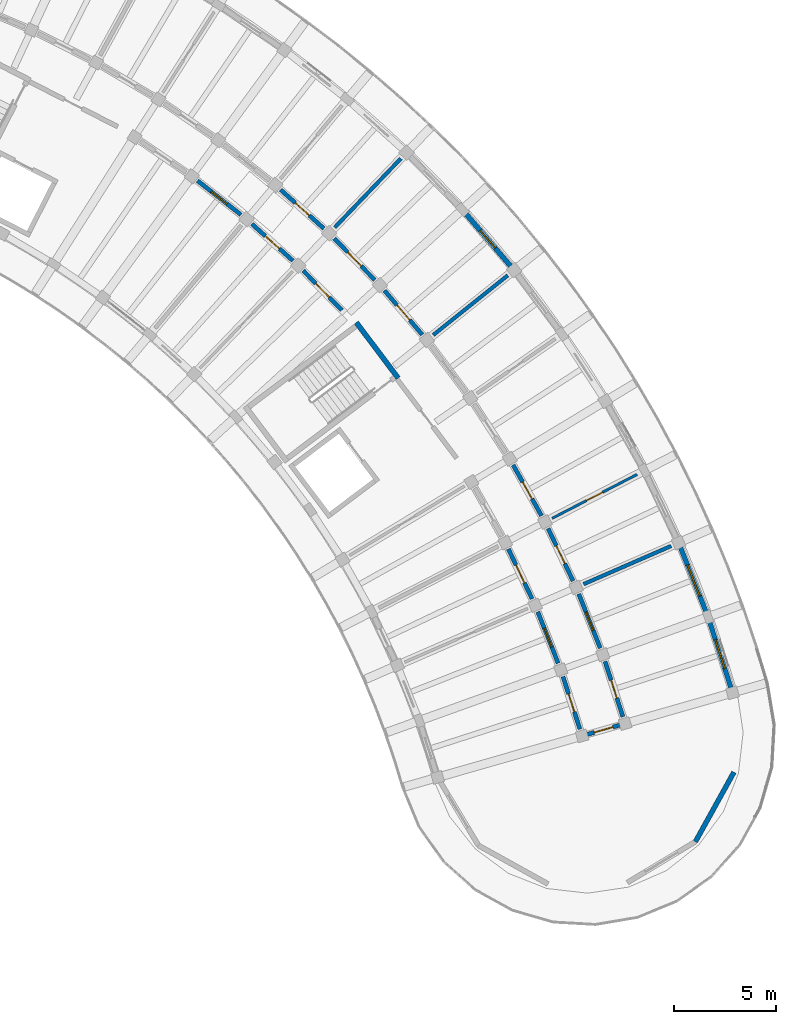
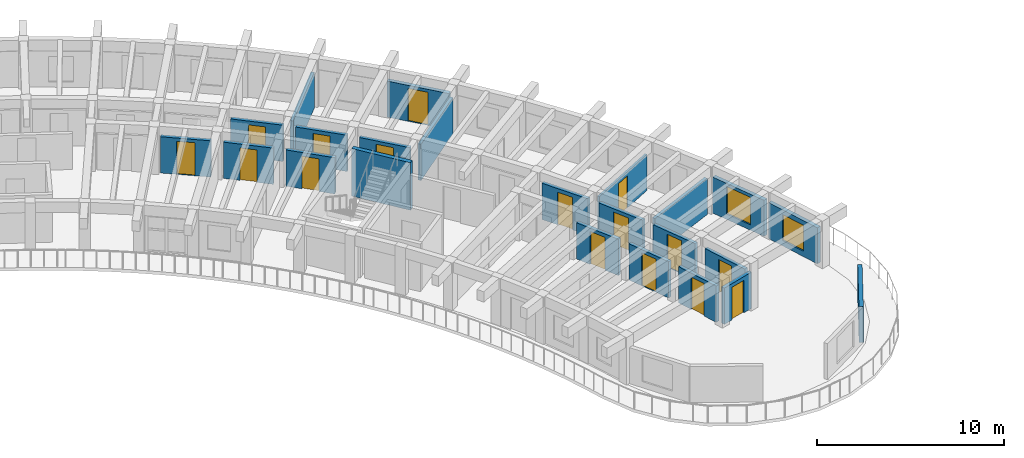
# One storey, part 57 of 81: 23 walls, 16 doors, 2 windows, 18 openings.
"""IFC4 building model written with IfcOpenShell, lengths in metres."""

from ifc_helpers import new_model, si_unit, direction, frame, frame_2d, origin, place, context, subcontext, project, spatial, rectangle, extrude, material, layer, layer_set, type_object, element, fill, save


model = new_model("IFC4")

# Units and contexts
model_context = context("Model", 3, precision=1e-05, world=origin(), true_north=direction((0.0, 1.0)))
body_context = subcontext(model_context, "Body", "Model", "MODEL_VIEW")
ifc_project = project(units=[si_unit("LENGTHUNIT", "METRE"), si_unit("AREAUNIT", "SQUARE_METRE"), si_unit("VOLUMEUNIT", "CUBIC_METRE"), si_unit("PLANEANGLEUNIT", "RADIAN"), si_unit("MASSUNIT", "GRAM", prefix="KILO")], contexts=[model_context])

# Site, building, storey
site_placement = place(None, origin())
site = spatial("IfcSite", under=ifc_project, at=site_placement, CompositionType="ELEMENT")
building_placement = place(site_placement, origin())
building = spatial("IfcBuilding", under=site, at=building_placement, Name="Tanwirah Colonnade Gardens", CompositionType="ELEMENT")
storey_placement = place(building_placement, frame((0.0, 0.0, 8.840087890625)))
storey = spatial("IfcBuildingStorey", under=building, at=storey_placement, Name="L02", CompositionType="ELEMENT", Elevation=8.840087890625)

# Wall, opening, window
ifc_material_1 = material(Name="Limestone architectural precast concrete C40/50", Category="masonry")
ifc_layer_1 = layer(ifc_material_1, 0.239990234375)
ifc_layer_set_1 = layer_set([ifc_layer_1], Name="Limestone architectural precast concrete C40/50")
wall_type_1 = type_object("IfcWallType", Name="EW-PC240", PredefinedType="SOLIDWALL", material=ifc_layer_set_1)
wall_1_placement = place(storey_placement, frame((178.16796875, 76.847412109375, 0.0), z_axis=(0.0, 0.0, 1.0), x_axis=(-0.30720538788, 0.951643236543, 0.0)))
wall_1 = element("IfcWall", 1, at=wall_1_placement, inside=storey, type_object=wall_type_1, Name="Block B L02 OUT Precast Facade Wall 0", PredefinedType="SOLIDWALL", context=body_context, shape_type="SweptSolid", body=[
    extrude(rectangle(XDim=3.5205078125, YDim=0.239990234375, at=frame_2d((1.76025390625, 0.0))), origin(), (0.0, 0.0, 1.0), 2.35498046875),
])
opening_1_placement = place(wall_1_placement, frame((1.010498046875, 0.0, 0.35009765625)))
opening_1 = element("IfcOpeningElement", 2, at=opening_1_placement, cuts=wall_1, Name="Opening WIN-T08", PredefinedType="OPENING", context=body_context, shape_type="SweptSolid", body=[
    extrude(rectangle(XDim=1.5, YDim=1.699951171875, at=frame_2d((0.75, 0.85009765625))), frame((0.0, 0.1298828125, 0.0), z_axis=(0.0, -1.0, 0.0), x_axis=(1.0, 0.0, 0.0)), (0.0, 0.0, 1.0), 0.260009765625),
])
ifc_material_2 = material(Name="Thermally broken bronze aluminium and solar low-E double glazing", Category="aluminium")
window_type_1 = type_object("IfcWindowType", Name="WIN-T08", PartitioningType="DOUBLE_PANEL_VERTICAL", PredefinedType="WINDOW", material=ifc_material_2)
window_1_placement = place(opening_1_placement, origin())
window_1 = element("IfcWindow", 3, at=window_1_placement, inside=storey, type_object=window_type_1, Name="Facade window B-L02-OUT-00", OverallHeight=1.699951171875, OverallWidth=1.5, PartitioningType="SINGLE_PANEL", PredefinedType="WINDOW", context=body_context, shape_type="SweptSolid", body=[
    extrude(rectangle(XDim=1.5, YDim=1.699951171875, at=frame_2d((0.75, 0.85009765625))), frame((0.0, 0.030029296875, 0.0), z_axis=(0.0, -1.0, 0.0), x_axis=(1.0, 0.0, 0.0)), (0.0, 0.0, 1.0), 0.06005859375),
])
fill(opening_1, window_1)

wall_2_placement = place(storey_placement, frame((176.978271484375, 80.498779296875, 0.0), z_axis=(0.0, 0.0, 1.0), x_axis=(-0.369249632056, 0.929330247666, 0.0)))
wall_2 = element("IfcWall", 4, at=wall_2_placement, inside=storey, type_object=wall_type_1, Name="Block B L02 OUT Precast Facade Wall 1", PredefinedType="SOLIDWALL", context=body_context, shape_type="SweptSolid", body=[
    extrude(rectangle(XDim=3.520751953125, YDim=0.239990234375, at=frame_2d((1.76025390625, 0.0))), origin(), (0.0, 0.0, 1.0), 2.35498046875),
])
opening_2_placement = place(wall_2_placement, frame((0.935302734375, 0.0, 0.35009765625)))
opening_2 = element("IfcOpeningElement", 5, at=opening_2_placement, cuts=wall_2, Name="Opening WIN-T11", PredefinedType="OPENING", context=body_context, shape_type="SweptSolid", body=[
    extrude(rectangle(XDim=1.64990234375, YDim=1.800048828125, at=frame_2d((0.824951171875, 0.89990234375))), frame((0.0, 0.1298828125, 0.0), z_axis=(0.0, -1.0, 0.0), x_axis=(1.0, 0.0, 0.0)), (0.0, 0.0, 1.0), 0.260009765625),
])
window_type_2 = type_object("IfcWindowType", Name="WIN-T11", PartitioningType="DOUBLE_PANEL_VERTICAL", PredefinedType="WINDOW", material=ifc_material_2)
window_2_placement = place(opening_2_placement, origin())
window_2 = element("IfcWindow", 6, at=window_2_placement, inside=storey, type_object=window_type_2, Name="Facade window B-L02-OUT-01", OverallHeight=1.800048828125, OverallWidth=1.64990234375, PartitioningType="SINGLE_PANEL", PredefinedType="WINDOW", context=body_context, shape_type="SweptSolid", body=[
    extrude(rectangle(XDim=1.64990234375, YDim=1.800048828125, at=frame_2d((0.824951171875, 0.89990234375))), frame((0.0, 0.030029296875, 0.0), z_axis=(0.0, -1.0, 0.0), x_axis=(1.0, 0.0, 0.0)), (0.0, 0.0, 1.0), 0.06005859375),
])
fill(opening_2, window_2)

# Wall, opening, door
wall_3_placement = place(storey_placement, frame((167.3369140625, 97.59228515625, 0.0), z_axis=(0.0, 0.0, 1.0), x_axis=(-0.65016298181, 0.759794773004, 0.0)))
wall_3 = element("IfcWall", 7, at=wall_3_placement, inside=storey, type_object=wall_type_1, Name="Block B L02 OUT Precast Facade Wall 6", PredefinedType="SOLIDWALL", context=body_context, shape_type="SweptSolid", body=[
    extrude(rectangle(XDim=3.520751953125, YDim=0.239990234375, at=frame_2d((1.76025390625, 0.0))), origin(), (0.0, 0.0, 1.0), 2.35498046875),
])
opening_3_placement = place(wall_3_placement, frame((1.1904296875, 0.0, 0.0)))
opening_3 = element("IfcOpeningElement", 8, at=opening_3_placement, cuts=wall_3, Name="Opening L02-ED077", PredefinedType="OPENING", context=body_context, shape_type="SweptSolid", body=[
    extrude(rectangle(XDim=1.139892578125, YDim=2.159912109375, at=frame_2d((0.56982421875, 1.080078125))), frame((0.0, 0.1298828125, 0.0), z_axis=(0.0, -1.0, 0.0), x_axis=(1.0, 0.0, 0.0)), (0.0, 0.0, 1.0), 0.260009765625),
])
ifc_material_3 = material(Name="Bronze aluminium glazed balcony door", Category="aluminium")
door_type_1 = type_object("IfcDoorType", Name="ED-BAL114", OperationType="NOTDEFINED", PredefinedType="DOOR", material=ifc_material_3)
door_1_placement = place(opening_3_placement, origin())
door_1 = element("IfcDoor", 9, at=door_1_placement, inside=storey, type_object=door_type_1, Name="Balcony glazed door L02-ED077", OperationType="SINGLE_SWING_LEFT", OverallHeight=2.159912109375, OverallWidth=1.139892578125, PredefinedType="DOOR", context=body_context, shape_type="SweptSolid", body=[
    extrude(rectangle(XDim=1.139892578125, YDim=2.159912109375, at=frame_2d((0.56982421875, 1.080078125))), frame((0.0, 0.02490234375, 0.0), z_axis=(0.0, -1.0, 0.0), x_axis=(1.0, 0.0, 0.0)), (0.0, 0.0, 1.0), 0.050048828125),
])
fill(opening_3, door_1)

# Wall
wall_4_placement = place(storey_placement, frame((178.311279296875, 72.70654296875, 0.0), z_axis=(0.0, 0.0, 1.0), x_axis=(-0.484841794757, -0.874601871743, 0.0)))
element("IfcWall", 10, at=wall_4_placement, inside=storey, type_object=wall_type_1, Name="Block B L02 START Rounded End Wall 1", PredefinedType="SOLIDWALL", context=body_context, shape_type="SweptSolid", body=[
    extrude(rectangle(XDim=3.907958984375, YDim=0.239990234375, at=frame_2d((1.9541015625, 0.0))), origin(), (0.0, 0.0, 1.0), 2.35498046875),
])

# Wall, opening, door
ifc_material_4 = material(Name="Precast concrete C40/50", Category="concrete")
ifc_layer_2 = layer(ifc_material_4, 0.205078125)
ifc_layer_set_2 = layer_set([ifc_layer_2], Name="Precast concrete C40/50")
wall_type_2 = type_object("IfcWallType", Name="IW-CORR205", PredefinedType="PARTITIONING", material=ifc_layer_set_2)
wall_5_placement = place(storey_placement, frame((172.8486328125, 75.431396484375, 0.0), z_axis=(0.0, 0.0, 1.0), x_axis=(-0.307157249761, 0.951658774939, 0.0)))
wall_5 = element("IfcWall", 11, at=wall_5_placement, inside=storey, type_object=wall_type_2, Name="Block B L02 OUT Corridor Wall 0", PredefinedType="PARTITIONING", context=body_context, shape_type="SweptSolid", body=[
    extrude(rectangle(XDim=2.863037109375, YDim=0.205078125, at=frame_2d((1.431640625, 0.0))), origin(), (0.0, 0.0, 1.0), 2.369873046875),
])
opening_4_placement = place(wall_5_placement, frame((0.966552734375, 0.0, 0.0)))
opening_4 = element("IfcOpeningElement", 12, at=opening_4_placement, cuts=wall_5, Name="Opening L02-AD876", PredefinedType="OPENING", context=body_context, shape_type="SweptSolid", body=[
    extrude(rectangle(XDim=0.929931640625, YDim=2.1201171875, at=frame_2d((0.46484375, 1.06005859375))), frame((0.0, 0.112548828125, 0.0), z_axis=(0.0, -1.0, 0.0), x_axis=(1.0, 0.0, 0.0)), (0.0, 0.0, 1.0), 0.22509765625),
])
ifc_material_5 = material(Name="Solid oak fire-resisting apartment entrance door")
door_type_2 = type_object("IfcDoorType", Name="ID-FLT093", OperationType="NOTDEFINED", PredefinedType="DOOR", material=ifc_material_5)
door_2_placement = place(opening_4_placement, origin())
door_2 = element("IfcDoor", 13, at=door_2_placement, inside=storey, type_object=door_type_2, Name="Apartment corridor door L02-AD876", OperationType="SINGLE_SWING_LEFT", OverallHeight=2.1201171875, OverallWidth=0.929931640625, PredefinedType="DOOR", context=body_context, shape_type="SweptSolid", body=[
    extrude(rectangle(XDim=0.929931640625, YDim=2.1201171875, at=frame_2d((0.46484375, 1.06005859375))), frame((0.0, 0.02490234375, 0.0), z_axis=(0.0, -1.0, 0.0), x_axis=(1.0, 0.0, 0.0)), (0.0, 0.0, 1.0), 0.050048828125),
])
fill(opening_4, door_2)

wall_6_placement = place(storey_placement, frame((170.73388671875, 74.824951171875, 0.0), z_axis=(0.0, 0.0, 1.0), x_axis=(-0.307186478934, 0.95164934044, 0.0)))
wall_6 = element("IfcWall", 14, at=wall_6_placement, inside=storey, type_object=wall_type_2, Name="Block B L02 IN Corridor Wall 0", PredefinedType="PARTITIONING", context=body_context, shape_type="SweptSolid", body=[
    extrude(rectangle(XDim=2.718017578125, YDim=0.205078125, at=frame_2d((1.35888671875, 0.0))), origin(), (0.0, 0.0, 1.0), 2.369873046875),
])
opening_5_placement = place(wall_6_placement, frame((0.89404296875, 0.0, 0.0)))
opening_5 = element("IfcOpeningElement", 15, at=opening_5_placement, cuts=wall_6, Name="Opening L02-AD877", PredefinedType="OPENING", context=body_context, shape_type="SweptSolid", body=[
    extrude(rectangle(XDim=0.929931640625, YDim=2.1201171875, at=frame_2d((0.46484375, 1.06005859375))), frame((0.0, 0.112548828125, 0.0), z_axis=(0.0, -1.0, 0.0), x_axis=(1.0, 0.0, 0.0)), (0.0, 0.0, 1.0), 0.22509765625),
])
door_3_placement = place(opening_5_placement, origin())
door_3 = element("IfcDoor", 16, at=door_3_placement, inside=storey, type_object=door_type_2, Name="Apartment corridor door L02-AD877", OperationType="SINGLE_SWING_RIGHT", OverallHeight=2.1201171875, OverallWidth=0.929931640625, PredefinedType="DOOR", context=body_context, shape_type="SweptSolid", body=[
    extrude(rectangle(XDim=0.929931640625, YDim=2.1201171875, at=frame_2d((0.46484375, 1.06005859375))), frame((0.0, 0.02490234375, 0.0), z_axis=(0.0, -1.0, 0.0), x_axis=(1.0, 0.0, 0.0)), (0.0, 0.0, 1.0), 0.050048828125),
])
fill(opening_5, door_3)

wall_7_placement = place(storey_placement, frame((171.732421875, 78.814208984375, 0.0), z_axis=(0.0, 0.0, 1.0), x_axis=(-0.369213832442, 0.929344471083, 0.0)))
wall_7 = element("IfcWall", 17, at=wall_7_placement, inside=storey, type_object=wall_type_2, Name="Block B L02 OUT Corridor Wall 1", PredefinedType="PARTITIONING", context=body_context, shape_type="SweptSolid", body=[
    extrude(rectangle(XDim=2.86328125, YDim=0.205078125, at=frame_2d((1.431640625, 0.0))), origin(), (0.0, 0.0, 1.0), 2.369873046875),
])
opening_6_placement = place(wall_7_placement, frame((0.9365234375, 0.0, 0.0)))
opening_6 = element("IfcOpeningElement", 18, at=opening_6_placement, cuts=wall_7, Name="Opening L02-AD878", PredefinedType="OPENING", context=body_context, shape_type="SweptSolid", body=[
    extrude(rectangle(XDim=0.989990234375, YDim=2.159912109375, at=frame_2d((0.4951171875, 1.080078125))), frame((0.0, 0.112548828125, 0.0), z_axis=(0.0, -1.0, 0.0), x_axis=(1.0, 0.0, 0.0)), (0.0, 0.0, 1.0), 0.22509765625),
])
door_type_3 = type_object("IfcDoorType", Name="ID-FLT099", OperationType="NOTDEFINED", PredefinedType="DOOR", material=ifc_material_5)
door_4_placement = place(opening_6_placement, origin())
door_4 = element("IfcDoor", 19, at=door_4_placement, inside=storey, type_object=door_type_3, Name="Apartment corridor door L02-AD878", OperationType="SINGLE_SWING_RIGHT", OverallHeight=2.159912109375, OverallWidth=0.989990234375, PredefinedType="DOOR", context=body_context, shape_type="SweptSolid", body=[
    extrude(rectangle(XDim=0.989990234375, YDim=2.159912109375, at=frame_2d((0.4951171875, 1.080078125))), frame((0.0, 0.02490234375, 0.0), z_axis=(0.0, -1.0, 0.0), x_axis=(1.0, 0.0, 0.0)), (0.0, 0.0, 1.0), 0.050048828125),
])
fill(opening_6, door_4)

wall_8_placement = place(storey_placement, frame((169.662353515625, 78.06982421875, 0.0), z_axis=(0.0, 0.0, 1.0), x_axis=(-0.369237170461, 0.929335198919, 0.0)))
wall_8 = element("IfcWall", 20, at=wall_8_placement, inside=storey, type_object=wall_type_2, Name="Block B L02 IN Corridor Wall 1", PredefinedType="PARTITIONING", context=body_context, shape_type="SweptSolid", body=[
    extrude(rectangle(XDim=2.71826171875, YDim=0.205078125, at=frame_2d((1.359130859375, 0.0))), origin(), (0.0, 0.0, 1.0), 2.369873046875),
])
opening_7_placement = place(wall_8_placement, frame((0.864013671875, 0.0, 0.0)))
opening_7 = element("IfcOpeningElement", 21, at=opening_7_placement, cuts=wall_8, Name="Opening L02-AD879", PredefinedType="OPENING", context=body_context, shape_type="SweptSolid", body=[
    extrude(rectangle(XDim=0.989990234375, YDim=2.159912109375, at=frame_2d((0.4951171875, 1.080078125))), frame((0.0, 0.112548828125, 0.0), z_axis=(0.0, -1.0, 0.0), x_axis=(1.0, 0.0, 0.0)), (0.0, 0.0, 1.0), 0.22509765625),
])
door_5_placement = place(opening_7_placement, origin())
door_5 = element("IfcDoor", 22, at=door_5_placement, inside=storey, type_object=door_type_3, Name="Apartment corridor door L02-AD879", OperationType="SINGLE_SWING_LEFT", OverallHeight=2.159912109375, OverallWidth=0.989990234375, PredefinedType="DOOR", context=body_context, shape_type="SweptSolid", body=[
    extrude(rectangle(XDim=0.989990234375, YDim=2.159912109375, at=frame_2d((0.4951171875, 1.080078125))), frame((0.0, 0.02490234375, 0.0), z_axis=(0.0, -1.0, 0.0), x_axis=(1.0, 0.0, 0.0)), (0.0, 0.0, 1.0), 0.050048828125),
])
fill(opening_7, door_5)

wall_9_placement = place(storey_placement, frame((170.395751953125, 82.116455078125, 0.0), z_axis=(0.0, 0.0, 1.0), x_axis=(-0.429595933416, 0.90302122566, 0.0)))
wall_9 = element("IfcWall", 23, at=wall_9_placement, inside=storey, type_object=wall_type_2, Name="Block B L02 OUT Corridor Wall 2", PredefinedType="PARTITIONING", context=body_context, shape_type="SweptSolid", body=[
    extrude(rectangle(XDim=2.863037109375, YDim=0.205078125, at=frame_2d((1.431640625, 0.0))), origin(), (0.0, 0.0, 1.0), 2.369873046875),
])
opening_8_placement = place(wall_9_placement, frame((0.946533203125, 0.0, 0.0)))
opening_8 = element("IfcOpeningElement", 24, at=opening_8_placement, cuts=wall_9, Name="Opening L02-AD881", PredefinedType="OPENING", context=body_context, shape_type="SweptSolid", body=[
    extrude(rectangle(XDim=0.969970703125, YDim=2.14990234375, at=frame_2d((0.48486328125, 1.074951171875))), frame((0.0, 0.112548828125, 0.0), z_axis=(0.0, -1.0, 0.0), x_axis=(1.0, 0.0, 0.0)), (0.0, 0.0, 1.0), 0.22509765625),
])
door_type_4 = type_object("IfcDoorType", Name="ID-FLT097", OperationType="NOTDEFINED", PredefinedType="DOOR", material=ifc_material_5)
door_6_placement = place(opening_8_placement, origin())
door_6 = element("IfcDoor", 25, at=door_6_placement, inside=storey, type_object=door_type_4, Name="Apartment corridor door L02-AD881", OperationType="SINGLE_SWING_LEFT", OverallHeight=2.14990234375, OverallWidth=0.969970703125, PredefinedType="DOOR", context=body_context, shape_type="SweptSolid", body=[
    extrude(rectangle(XDim=0.969970703125, YDim=2.14990234375, at=frame_2d((0.48486328125, 1.074951171875))), frame((0.0, 0.02490234375, 0.0), z_axis=(0.0, -1.0, 0.0), x_axis=(1.0, 0.0, 0.0)), (0.0, 0.0, 1.0), 0.050048828125),
])
fill(opening_8, door_6)

wall_10_placement = place(storey_placement, frame((168.379150390625, 81.2373046875, 0.0), z_axis=(0.0, 0.0, 1.0), x_axis=(-0.429630211913, 0.90300491749, 0.0)))
wall_10 = element("IfcWall", 26, at=wall_10_placement, inside=storey, type_object=wall_type_2, Name="Block B L02 IN Corridor Wall 2", PredefinedType="PARTITIONING", context=body_context, shape_type="SweptSolid", body=[
    extrude(rectangle(XDim=2.718017578125, YDim=0.205078125, at=frame_2d((1.35888671875, 0.0))), origin(), (0.0, 0.0, 1.0), 2.369873046875),
])
opening_9_placement = place(wall_10_placement, frame((0.8740234375, 0.0, 0.0)))
opening_9 = element("IfcOpeningElement", 27, at=opening_9_placement, cuts=wall_10, Name="Opening L02-AD882", PredefinedType="OPENING", context=body_context, shape_type="SweptSolid", body=[
    extrude(rectangle(XDim=0.969970703125, YDim=2.14990234375, at=frame_2d((0.48486328125, 1.074951171875))), frame((0.0, 0.112548828125, 0.0), z_axis=(0.0, -1.0, 0.0), x_axis=(1.0, 0.0, 0.0)), (0.0, 0.0, 1.0), 0.22509765625),
])
door_7_placement = place(opening_9_placement, origin())
door_7 = element("IfcDoor", 28, at=door_7_placement, inside=storey, type_object=door_type_4, Name="Apartment corridor door L02-AD882", OperationType="SINGLE_SWING_RIGHT", OverallHeight=2.14990234375, OverallWidth=0.969970703125, PredefinedType="DOOR", context=body_context, shape_type="SweptSolid", body=[
    extrude(rectangle(XDim=0.969970703125, YDim=2.14990234375, at=frame_2d((0.48486328125, 1.074951171875))), frame((0.0, 0.02490234375, 0.0), z_axis=(0.0, -1.0, 0.0), x_axis=(1.0, 0.0, 0.0)), (0.0, 0.0, 1.0), 0.050048828125),
])
fill(opening_9, door_7)

wall_11_placement = place(storey_placement, frame((168.844482421875, 85.323486328125, 0.0), z_axis=(0.0, 0.0, 1.0), x_axis=(-0.48817487918, 0.872745832037, 0.0)))
wall_11 = element("IfcWall", 29, at=wall_11_placement, inside=storey, type_object=wall_type_2, Name="Block B L02 OUT Corridor Wall 3", PredefinedType="PARTITIONING", context=body_context, shape_type="SweptSolid", body=[
    extrude(rectangle(XDim=2.863037109375, YDim=0.205078125, at=frame_2d((1.431640625, 0.0))), origin(), (0.0, 0.0, 1.0), 2.369873046875),
])
opening_10_placement = place(wall_11_placement, frame((0.95654296875, 0.0, 0.0)))
opening_10 = element("IfcOpeningElement", 30, at=opening_10_placement, cuts=wall_11, Name="Opening L02-AD884", PredefinedType="OPENING", context=body_context, shape_type="SweptSolid", body=[
    extrude(rectangle(XDim=0.949951171875, YDim=2.1298828125, at=frame_2d((0.47509765625, 1.06494140625))), frame((0.0, 0.112548828125, 0.0), z_axis=(0.0, -1.0, 0.0), x_axis=(1.0, 0.0, 0.0)), (0.0, 0.0, 1.0), 0.22509765625),
])
door_type_5 = type_object("IfcDoorType", Name="ID-FLT095", OperationType="NOTDEFINED", PredefinedType="DOOR", material=ifc_material_5)
door_8_placement = place(opening_10_placement, origin())
door_8 = element("IfcDoor", 31, at=door_8_placement, inside=storey, type_object=door_type_5, Name="Apartment corridor door L02-AD884", OperationType="SINGLE_SWING_RIGHT", OverallHeight=2.1298828125, OverallWidth=0.949951171875, PredefinedType="DOOR", context=body_context, shape_type="SweptSolid", body=[
    extrude(rectangle(XDim=0.949951171875, YDim=2.1298828125, at=frame_2d((0.47509765625, 1.06494140625))), frame((0.0, 0.02490234375, 0.0), z_axis=(0.0, -1.0, 0.0), x_axis=(1.0, 0.0, 0.0)), (0.0, 0.0, 1.0), 0.050048828125),
])
fill(opening_10, door_8)

wall_12_placement = place(storey_placement, frame((162.974365234375, 94.23583984375, 0.0), z_axis=(0.0, 0.0, 1.0), x_axis=(-0.650194272684, 0.759767996015, 0.0)))
wall_12 = element("IfcWall", 32, at=wall_12_placement, inside=storey, type_object=wall_type_2, Name="Block B L02 OUT Corridor Wall 6", PredefinedType="PARTITIONING", context=body_context, shape_type="SweptSolid", body=[
    extrude(rectangle(XDim=2.863037109375, YDim=0.205078125, at=frame_2d((1.431640625, 0.0))), origin(), (0.0, 0.0, 1.0), 2.369873046875),
])
opening_11_placement = place(wall_12_placement, frame((0.946533203125, 0.0, 0.0)))
opening_11 = element("IfcOpeningElement", 33, at=opening_11_placement, cuts=wall_12, Name="Opening L02-AD890", PredefinedType="OPENING", context=body_context, shape_type="SweptSolid", body=[
    extrude(rectangle(XDim=0.969970703125, YDim=2.14990234375, at=frame_2d((0.48486328125, 1.074951171875))), frame((0.0, 0.112548828125, 0.0), z_axis=(0.0, -1.0, 0.0), x_axis=(1.0, 0.0, 0.0)), (0.0, 0.0, 1.0), 0.22509765625),
])
door_9_placement = place(opening_11_placement, origin())
door_9 = element("IfcDoor", 34, at=door_9_placement, inside=storey, type_object=door_type_4, Name="Apartment corridor door L02-AD890", OperationType="SINGLE_SWING_LEFT", OverallHeight=2.14990234375, OverallWidth=0.969970703125, PredefinedType="DOOR", context=body_context, shape_type="SweptSolid", body=[
    extrude(rectangle(XDim=0.969970703125, YDim=2.14990234375, at=frame_2d((0.48486328125, 1.074951171875))), frame((0.0, 0.02490234375, 0.0), z_axis=(0.0, -1.0, 0.0), x_axis=(1.0, 0.0, 0.0)), (0.0, 0.0, 1.0), 0.050048828125),
])
fill(opening_11, door_9)

wall_13_placement = place(storey_placement, frame((160.640625, 96.92724609375, 0.0), z_axis=(0.0, 0.0, 1.0), x_axis=(-0.698787219683, 0.715329589496, 0.0)))
wall_13 = element("IfcWall", 35, at=wall_13_placement, inside=storey, type_object=wall_type_2, Name="Block B L02 OUT Corridor Wall 7", PredefinedType="PARTITIONING", context=body_context, shape_type="SweptSolid", body=[
    extrude(rectangle(XDim=2.863037109375, YDim=0.205078125, at=frame_2d((1.431640625, 0.0))), origin(), (0.0, 0.0, 1.0), 2.369873046875),
])
opening_12_placement = place(wall_13_placement, frame((0.95654296875, 0.0, 0.0)))
opening_12 = element("IfcOpeningElement", 36, at=opening_12_placement, cuts=wall_13, Name="Opening L02-AD891", PredefinedType="OPENING", context=body_context, shape_type="SweptSolid", body=[
    extrude(rectangle(XDim=0.949951171875, YDim=2.1298828125, at=frame_2d((0.47509765625, 1.06494140625))), frame((0.0, 0.112548828125, 0.0), z_axis=(0.0, -1.0, 0.0), x_axis=(1.0, 0.0, 0.0)), (0.0, 0.0, 1.0), 0.22509765625),
])
door_10_placement = place(opening_12_placement, origin())
door_10 = element("IfcDoor", 37, at=door_10_placement, inside=storey, type_object=door_type_5, Name="Apartment corridor door L02-AD891", OperationType="SINGLE_SWING_RIGHT", OverallHeight=2.1298828125, OverallWidth=0.949951171875, PredefinedType="DOOR", context=body_context, shape_type="SweptSolid", body=[
    extrude(rectangle(XDim=0.949951171875, YDim=2.1298828125, at=frame_2d((0.47509765625, 1.06494140625))), frame((0.0, 0.02490234375, 0.0), z_axis=(0.0, -1.0, 0.0), x_axis=(1.0, 0.0, 0.0)), (0.0, 0.0, 1.0), 0.050048828125),
])
fill(opening_12, door_10)

wall_14_placement = place(storey_placement, frame((159.01708984375, 95.442626953125, 0.0), z_axis=(0.0, 0.0, 1.0), x_axis=(-0.698840007829, 0.715278018296, 0.0)))
wall_14 = element("IfcWall", 38, at=wall_14_placement, inside=storey, type_object=wall_type_2, Name="Block B L02 IN Corridor Wall 7", PredefinedType="PARTITIONING", context=body_context, shape_type="SweptSolid", body=[
    extrude(rectangle(XDim=2.718017578125, YDim=0.205078125, at=frame_2d((1.35888671875, 0.0))), origin(), (0.0, 0.0, 1.0), 2.369873046875),
])
opening_13_placement = place(wall_14_placement, frame((0.884033203125, 0.0, 0.0)))
opening_13 = element("IfcOpeningElement", 39, at=opening_13_placement, cuts=wall_14, Name="Opening L02-AD892", PredefinedType="OPENING", context=body_context, shape_type="SweptSolid", body=[
    extrude(rectangle(XDim=0.949951171875, YDim=2.1298828125, at=frame_2d((0.47509765625, 1.06494140625))), frame((0.0, 0.112548828125, 0.0), z_axis=(0.0, -1.0, 0.0), x_axis=(1.0, 0.0, 0.0)), (0.0, 0.0, 1.0), 0.22509765625),
])
door_11_placement = place(opening_13_placement, origin())
door_11 = element("IfcDoor", 40, at=door_11_placement, inside=storey, type_object=door_type_5, Name="Apartment corridor door L02-AD892", OperationType="SINGLE_SWING_LEFT", OverallHeight=2.1298828125, OverallWidth=0.949951171875, PredefinedType="DOOR", context=body_context, shape_type="SweptSolid", body=[
    extrude(rectangle(XDim=0.949951171875, YDim=2.1298828125, at=frame_2d((0.47509765625, 1.06494140625))), frame((0.0, 0.02490234375, 0.0), z_axis=(0.0, -1.0, 0.0), x_axis=(1.0, 0.0, 0.0)), (0.0, 0.0, 1.0), 0.050048828125),
])
fill(opening_13, door_11)

wall_15_placement = place(storey_placement, frame((158.134765625, 99.459228515625, 0.0), z_axis=(0.0, 0.0, 1.0), x_axis=(-0.744433521088, 0.667696587291, 0.0)))
wall_15 = element("IfcWall", 41, at=wall_15_placement, inside=storey, type_object=wall_type_2, Name="Block B L02 OUT Corridor Wall 8", PredefinedType="PARTITIONING", context=body_context, shape_type="SweptSolid", body=[
    extrude(rectangle(XDim=2.86328125, YDim=0.205078125, at=frame_2d((1.431640625, 0.0))), origin(), (0.0, 0.0, 1.0), 2.369873046875),
])
opening_14_placement = place(wall_15_placement, frame((0.966552734375, 0.0, 0.0)))
opening_14 = element("IfcOpeningElement", 42, at=opening_14_placement, cuts=wall_15, Name="Opening L02-AD894", PredefinedType="OPENING", context=body_context, shape_type="SweptSolid", body=[
    extrude(rectangle(XDim=0.929931640625, YDim=2.1201171875, at=frame_2d((0.46484375, 1.06005859375))), frame((0.0, 0.112548828125, 0.0), z_axis=(0.0, -1.0, 0.0), x_axis=(1.0, 0.0, 0.0)), (0.0, 0.0, 1.0), 0.22509765625),
])
door_12_placement = place(opening_14_placement, origin())
door_12 = element("IfcDoor", 43, at=door_12_placement, inside=storey, type_object=door_type_2, Name="Apartment corridor door L02-AD894", OperationType="SINGLE_SWING_LEFT", OverallHeight=2.1201171875, OverallWidth=0.929931640625, PredefinedType="DOOR", context=body_context, shape_type="SweptSolid", body=[
    extrude(rectangle(XDim=0.929931640625, YDim=2.1201171875, at=frame_2d((0.46484375, 1.06005859375))), frame((0.0, 0.02490234375, 0.0), z_axis=(0.0, -1.0, 0.0), x_axis=(1.0, 0.0, 0.0)), (0.0, 0.0, 1.0), 0.050048828125),
])
fill(opening_14, door_12)

wall_16_placement = place(storey_placement, frame((156.612548828125, 97.870849609375, 0.0), z_axis=(0.0, 0.0, 1.0), x_axis=(-0.744418559135, 0.667713268413, 0.0)))
wall_16 = element("IfcWall", 44, at=wall_16_placement, inside=storey, type_object=wall_type_2, Name="Block B L02 IN Corridor Wall 8", PredefinedType="PARTITIONING", context=body_context, shape_type="SweptSolid", body=[
    extrude(rectangle(XDim=2.71826171875, YDim=0.205078125, at=frame_2d((1.359130859375, 0.0))), origin(), (0.0, 0.0, 1.0), 2.369873046875),
])
opening_15_placement = place(wall_16_placement, frame((0.89404296875, 0.0, 0.0)))
opening_15 = element("IfcOpeningElement", 45, at=opening_15_placement, cuts=wall_16, Name="Opening L02-AD895", PredefinedType="OPENING", context=body_context, shape_type="SweptSolid", body=[
    extrude(rectangle(XDim=0.929931640625, YDim=2.1201171875, at=frame_2d((0.46484375, 1.06005859375))), frame((0.0, 0.112548828125, 0.0), z_axis=(0.0, -1.0, 0.0), x_axis=(1.0, 0.0, 0.0)), (0.0, 0.0, 1.0), 0.22509765625),
])
door_13_placement = place(opening_15_placement, origin())
door_13 = element("IfcDoor", 46, at=door_13_placement, inside=storey, type_object=door_type_2, Name="Apartment corridor door L02-AD895", OperationType="SINGLE_SWING_RIGHT", OverallHeight=2.1201171875, OverallWidth=0.929931640625, PredefinedType="DOOR", context=body_context, shape_type="SweptSolid", body=[
    extrude(rectangle(XDim=0.929931640625, YDim=2.1201171875, at=frame_2d((0.46484375, 1.06005859375))), frame((0.0, 0.02490234375, 0.0), z_axis=(0.0, -1.0, 0.0), x_axis=(1.0, 0.0, 0.0)), (0.0, 0.0, 1.0), 0.050048828125),
])
fill(opening_15, door_13)

wall_17_placement = place(storey_placement, frame((154.05322265625, 100.135498046875, 0.0), z_axis=(0.0, 0.0, 1.0), x_axis=(-0.786835457019, 0.617162833924, 0.0)))
wall_17 = element("IfcWall", 47, at=wall_17_placement, inside=storey, type_object=wall_type_2, Name="Block B L02 IN Corridor Wall 9", PredefinedType="PARTITIONING", context=body_context, shape_type="SweptSolid", body=[
    extrude(rectangle(XDim=2.718017578125, YDim=0.205078125, at=frame_2d((1.35888671875, 0.0))), origin(), (0.0, 0.0, 1.0), 2.369873046875),
])
opening_16_placement = place(wall_17_placement, frame((0.864013671875, 0.0, 0.0)))
opening_16 = element("IfcOpeningElement", 48, at=opening_16_placement, cuts=wall_17, Name="Opening L02-AD898", PredefinedType="OPENING", context=body_context, shape_type="SweptSolid", body=[
    extrude(rectangle(XDim=0.989990234375, YDim=2.159912109375, at=frame_2d((0.4951171875, 1.080078125))), frame((0.0, 0.112548828125, 0.0), z_axis=(0.0, -1.0, 0.0), x_axis=(1.0, 0.0, 0.0)), (0.0, 0.0, 1.0), 0.22509765625),
])
door_14_placement = place(opening_16_placement, origin())
door_14 = element("IfcDoor", 49, at=door_14_placement, inside=storey, type_object=door_type_3, Name="Apartment corridor door L02-AD898", OperationType="SINGLE_SWING_LEFT", OverallHeight=2.159912109375, OverallWidth=0.989990234375, PredefinedType="DOOR", context=body_context, shape_type="SweptSolid", body=[
    extrude(rectangle(XDim=0.989990234375, YDim=2.159912109375, at=frame_2d((0.4951171875, 1.080078125))), frame((0.0, 0.02490234375, 0.0), z_axis=(0.0, -1.0, 0.0), x_axis=(1.0, 0.0, 0.0)), (0.0, 0.0, 1.0), 0.050048828125),
])
fill(opening_16, door_14)

wall_18_placement = place(storey_placement, frame((170.889404296875, 74.505615234375, 0.0), z_axis=(0.0, 0.0, 1.0), x_axis=(0.961264701934, 0.275626872449, 0.0)))
wall_18 = element("IfcWall", 50, at=wall_18_placement, inside=storey, type_object=wall_type_2, Name="Block B L02 CS Corner Suite Corridor Wall", PredefinedType="PARTITIONING", context=body_context, shape_type="SweptSolid", body=[
    extrude(rectangle(XDim=2.10009765625, YDim=0.205078125, at=frame_2d((1.050048828125, 0.0))), origin(), (0.0, 0.0, 1.0), 2.369873046875),
])
opening_17_placement = place(wall_18_placement, frame((0.570068359375, 0.0, 0.0)))
opening_17 = element("IfcOpeningElement", 51, at=opening_17_placement, cuts=wall_18, Name="Opening L02-CD915", PredefinedType="OPENING", context=body_context, shape_type="SweptSolid", body=[
    extrude(rectangle(XDim=0.949951171875, YDim=2.1298828125, at=frame_2d((0.47509765625, 1.06494140625))), frame((0.0, 0.112548828125, 0.0), z_axis=(0.0, -1.0, 0.0), x_axis=(1.0, 0.0, 0.0)), (0.0, 0.0, 1.0), 0.22509765625),
])
door_15_placement = place(opening_17_placement, origin())
door_15 = element("IfcDoor", 52, at=door_15_placement, inside=storey, type_object=door_type_5, Name="Corner suite entrance door L02-CD915", OperationType="SINGLE_SWING_LEFT", OverallHeight=2.1298828125, OverallWidth=0.949951171875, PredefinedType="DOOR", context=body_context, shape_type="SweptSolid", body=[
    extrude(rectangle(XDim=0.949951171875, YDim=2.1298828125, at=frame_2d((0.47509765625, 1.06494140625))), frame((0.0, 0.02490234375, 0.0), z_axis=(0.0, -1.0, 0.0), x_axis=(1.0, 0.0, 0.0)), (0.0, 0.0, 1.0), 0.050048828125),
])
fill(opening_17, door_15)

# Walls
ifc_layer_3 = layer(ifc_material_4, 0.18505859375)
ifc_layer_set_3 = layer_set([ifc_layer_3], Name="Precast concrete C40/50")
wall_type_3 = type_object("IfcWallType", Name="IW-DEM185", PredefinedType="PARTITIONING", material=ifc_layer_set_3)
wall_19_placement = place(storey_placement, frame((170.912841796875, 81.960205078125, 0.0), z_axis=(0.0, 0.0, 1.0), x_axis=(0.916663273961, 0.39966040856, 0.0)))
element("IfcWall", 53, at=wall_19_placement, inside=storey, type_object=wall_type_3, Name="Block B L02 Radial Partition 1", PredefinedType="PARTITIONING", context=body_context, shape_type="SweptSolid", body=[
    extrude(rectangle(XDim=4.699951171875, YDim=0.18505859375, at=frame_2d((2.35009765625, 0.0))), origin(), (0.0, 0.0, 1.0), 2.369873046875),
])
wall_20_placement = place(storey_placement, frame((163.51416015625, 94.2197265625, 0.0), z_axis=(0.0, 0.0, 1.0), x_axis=(0.780807994362, 0.624771058821, 0.0)))
element("IfcWall", 54, at=wall_20_placement, inside=storey, type_object=wall_type_3, Name="Block B L02 Radial Partition 5", PredefinedType="PARTITIONING", context=body_context, shape_type="SweptSolid", body=[
    extrude(rectangle(XDim=4.7001953125, YDim=0.18505859375, at=frame_2d((2.35009765625, 0.0))), origin(), (0.0, 0.0, 1.0), 2.369873046875),
])
wall_21_placement = place(storey_placement, frame((158.671875, 99.514404296875, 0.0), z_axis=(0.0, 0.0, 1.0), x_axis=(0.691855720025, 0.722035776585, 0.0)))
element("IfcWall", 55, at=wall_21_placement, inside=storey, type_object=wall_type_3, Name="Block B L02 Radial Partition 7", PredefinedType="PARTITIONING", context=body_context, shape_type="SweptSolid", body=[
    extrude(rectangle(XDim=4.699951171875, YDim=0.18505859375, at=frame_2d((2.35009765625, 0.0))), origin(), (0.0, 0.0, 1.0), 2.369873046875),
])

# Wall, opening, door
ifc_material_6 = material(Name="Moisture-resistant gypsum stud partition")
ifc_layer_4 = layer(ifc_material_6, 0.125)
ifc_layer_set_4 = layer_set([ifc_layer_4], Name="Moisture-resistant gypsum stud partition")
wall_type_4 = type_object("IfcWallType", Name="IW-INT125", PredefinedType="PARTITIONING", material=ifc_layer_set_4)
wall_22_placement = place(storey_placement, frame((169.37060546875, 85.20166015625, 0.0), z_axis=(0.0, 0.0, 1.0), x_axis=(0.88836305433, 0.459141681512, 0.0)))
wall_22 = element("IfcWall", 56, at=wall_22_placement, inside=storey, type_object=wall_type_4, Name="Block B L02 Radial Partition 2", PredefinedType="PARTITIONING", context=body_context, shape_type="SweptSolid", body=[
    extrude(rectangle(XDim=4.699951171875, YDim=0.125, at=frame_2d((2.35009765625, 0.0))), origin(), (0.0, 0.0, 1.0), 2.369873046875),
])
opening_18_placement = place(wall_22_placement, frame((1.905029296875, 0.0, 0.0)))
opening_18 = element("IfcOpeningElement", 57, at=opening_18_placement, cuts=wall_22, Name="Opening L02-RD883", PredefinedType="OPENING", context=body_context, shape_type="SweptSolid", body=[
    extrude(rectangle(XDim=0.889892578125, YDim=2.10009765625, at=frame_2d((0.44482421875, 1.050048828125))), frame((0.0, 0.072509765625, 0.0), z_axis=(0.0, -1.0, 0.0), x_axis=(1.0, 0.0, 0.0)), (0.0, 0.0, 1.0), 0.14501953125),
])
ifc_material_7 = material(Name="Painted hardwood bedroom door", Category="wood")
door_type_6 = type_object("IfcDoorType", Name="ID-RM089", OperationType="NOTDEFINED", PredefinedType="DOOR", material=ifc_material_7)
door_16_placement = place(opening_18_placement, origin())
door_16 = element("IfcDoor", 58, at=door_16_placement, inside=storey, type_object=door_type_6, Name="Internal apartment door L02-RD883", OperationType="SINGLE_SWING_LEFT", OverallHeight=2.10009765625, OverallWidth=0.889892578125, PredefinedType="DOOR", context=body_context, shape_type="SweptSolid", body=[
    extrude(rectangle(XDim=0.889892578125, YDim=2.10009765625, at=frame_2d((0.44482421875, 1.050048828125))), frame((0.0, 0.02490234375, 0.0), z_axis=(0.0, -1.0, 0.0), x_axis=(1.0, 0.0, 0.0)), (0.0, 0.0, 1.0), 0.050048828125),
])
fill(opening_18, door_16)

# Wall
ifc_material_8 = material(Name="Concrete C45/55", Category="concrete")
ifc_layer_5 = layer(ifc_material_8, 0.25)
ifc_layer_set_5 = layer_set([ifc_layer_5], Name="Concrete C45/55")
wall_type_5 = type_object("IfcWallType", Name="SW-CORE250", PredefinedType="SHEAR", material=ifc_layer_set_5)
wall_23_placement = place(storey_placement, frame((159.7314453125, 94.8330078125, 0.0), z_axis=(0.0, 0.0, 1.0), x_axis=(0.601814606132, -0.798635824294, 0.0)))
element("IfcWall", 59, at=wall_23_placement, inside=storey, type_object=wall_type_5, Name="CORE-B1 L02 Stair Shaft Shear Wall NEAR", PredefinedType="SHEAR", context=body_context, shape_type="SweptSolid", body=[
    extrude(rectangle(XDim=3.419921875, YDim=0.25, at=frame_2d((1.7099609375, 0.0))), origin(), (0.0, 0.0, 1.0), 3.10986328125),
])

save(model, "model.ifc")
